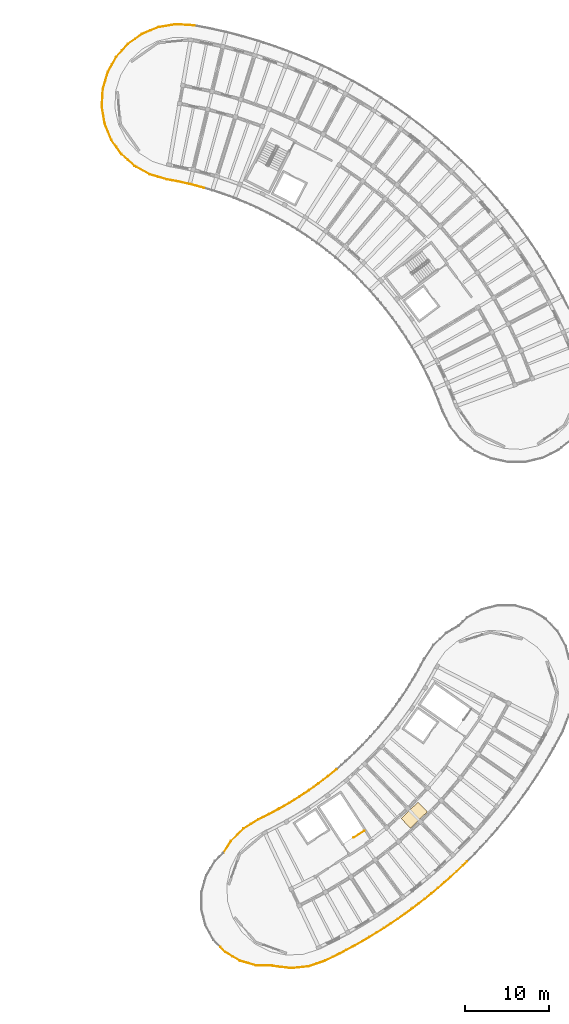
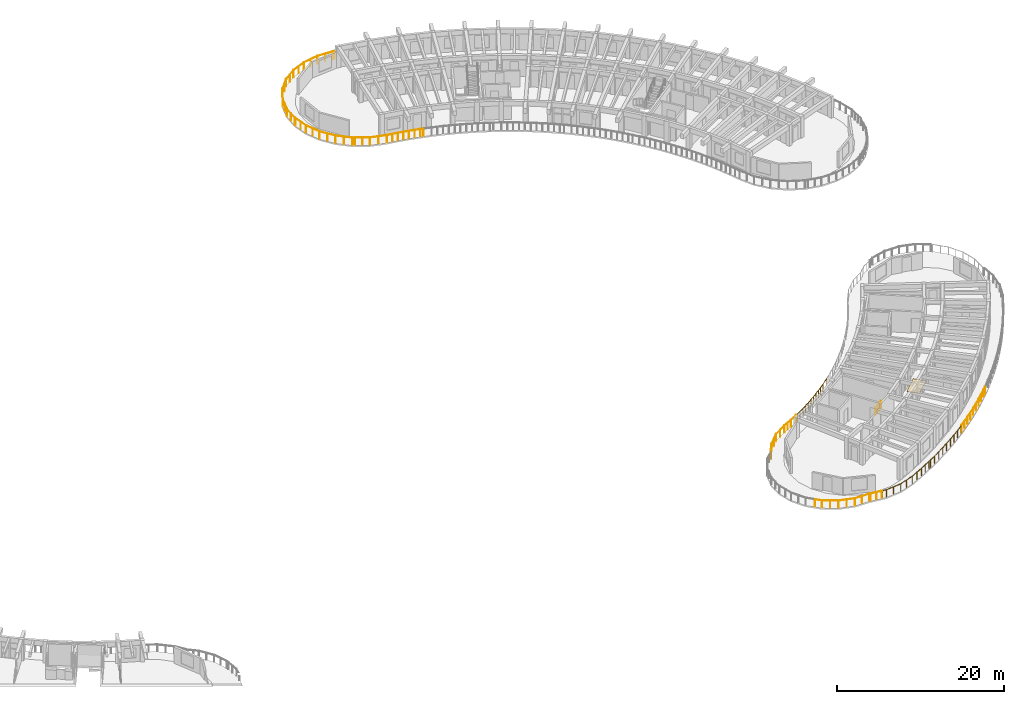
# One storey, part 50 of 56: 11 railings, 1 covering.
"""IFC4 building model written with IfcOpenShell, lengths in metres."""

from ifc_helpers import new_model, si_unit, direction, frame, origin, origin_2d, place, context, subcontext, project, spatial, rectangle, circle, extrude, material, layer, layer_set, type_object, element, save


model = new_model("IFC4")

# Units and contexts
model_context = context("Model", 3, precision=1e-05, world=origin(), true_north=direction((0.0, 1.0)))
body_context = subcontext(model_context, "Body", "Model", "MODEL_VIEW")
ifc_project = project(units=[si_unit("LENGTHUNIT", "METRE"), si_unit("AREAUNIT", "SQUARE_METRE"), si_unit("VOLUMEUNIT", "CUBIC_METRE"), si_unit("PLANEANGLEUNIT", "RADIAN"), si_unit("MASSUNIT", "GRAM", prefix="KILO")], contexts=[model_context])

# Site, building, storey
site_placement = place(None, origin())
site = spatial("IfcSite", under=ifc_project, at=site_placement, CompositionType="ELEMENT")
building_placement = place(site_placement, origin())
building = spatial("IfcBuilding", under=site, at=building_placement, Name="Tanwirah Colonnade Gardens", CompositionType="ELEMENT")
storey_placement = place(building_placement, frame((0.0, 0.0, 29.0)))
storey = spatial("IfcBuildingStorey", under=building, at=storey_placement, Name="L08", CompositionType="ELEMENT", Elevation=29.0)

# Railings
ifc_material_1 = material(Name="Precast concrete C40/50", Category="concrete")
railing_type_1 = type_object("IfcRailingType", Name="BAL-EXT110", PredefinedType="BALUSTRADE", material=ifc_material_1)
railing_1_placement = place(storey_placement, frame((135.019775390625, 21.895263671875, 0.0)))
element("IfcRailing", 1, at=railing_1_placement, inside=storey, type_object=railing_type_1, Name="Block D L08 Balcony Ribbon Balustrade 1", PredefinedType="BALUSTRADE", context=body_context, shape_type="SweptSolid", body=[
    extrude(circle(Radius=0.02392578125, at=origin_2d()), frame((0.016845703125, 0.0263671875, 1.076171875), z_axis=(0.538875687024, 0.842385300165, 0.0), x_axis=(-0.842385300165, 0.538875687024, 0.0)), (0.0, 0.0, 1.0), 1.650146484375),
    extrude(circle(Radius=0.02392578125, at=origin_2d()), frame((0.945068359375, 1.464599609375, 1.076171875), z_axis=(0.712816021803, 0.701351066914, 0.0), x_axis=(-0.701351066914, 0.712816021803, 0.0)), (0.0, 0.0, 1.0), 2.0244140625),
    extrude(circle(Radius=0.02392578125, at=origin_2d()), frame((2.43701171875, 2.922607421875, 1.076171875), z_axis=(0.851032684199, 0.525112721637, 0.0), x_axis=(-0.525112721637, 0.851032684199, 0.0)), (0.0, 0.0, 1.0), 2.029541015625),
    extrude(circle(Radius=0.02392578125, at=origin_2d()), frame((4.218994140625, 4.018798828125, 1.076171875), z_axis=(0.897323738879, 0.441372980192, 0.0), x_axis=(-0.441372980192, 0.897323738879, 0.0)), (0.0, 0.0, 1.0), 1.327392578125),
    extrude(circle(Radius=0.02392578125, at=origin_2d()), frame((5.46826171875, 4.63427734375, 1.076171875), z_axis=(0.882475220058, 0.470358890618, 0.0), x_axis=(-0.470358890618, 0.882475220058, 0.0)), (0.0, 0.0, 1.0), 1.153076171875),
    extrude(circle(Radius=0.02099609375, at=origin_2d()), origin(), (0.0, 0.0, 1.0), 1.049072265625),
    extrude(circle(Radius=0.02099609375, at=origin_2d()), frame((0.46142578125, 0.72119140625, 0.0)), (0.0, 0.0, 1.0), 1.049072265625),
    extrude(circle(Radius=0.02099609375, at=origin_2d()), frame((0.9228515625, 1.442626953125, 0.0)), (0.0, 0.0, 1.0), 1.049072265625),
    extrude(circle(Radius=0.02099609375, at=origin_2d()), frame((1.66650390625, 2.17431640625, 0.0)), (0.0, 0.0, 1.0), 1.049072265625),
    extrude(circle(Radius=0.02099609375, at=origin_2d()), frame((2.410400390625, 2.90625, 0.0)), (0.0, 0.0, 1.0), 1.049072265625),
    extrude(circle(Radius=0.02099609375, at=origin_2d()), frame((3.30078125, 3.45556640625, 0.0)), (0.0, 0.0, 1.0), 1.049072265625),
    extrude(circle(Radius=0.02099609375, at=origin_2d()), frame((4.19091796875, 4.0048828125, 0.0)), (0.0, 0.0, 1.0), 1.049072265625),
    extrude(circle(Radius=0.02099609375, at=origin_2d()), frame((4.814453125, 4.3115234375, 0.0)), (0.0, 0.0, 1.0), 1.049072265625),
    extrude(circle(Radius=0.02099609375, at=origin_2d()), frame((5.438232421875, 4.618408203125, 0.0)), (0.0, 0.0, 1.0), 1.049072265625),
    extrude(circle(Radius=0.02099609375, at=origin_2d()), frame((6.513427734375, 5.19140625, 0.0)), (0.0, 0.0, 1.0), 1.049072265625),
])
railing_2_placement = place(storey_placement, frame((141.533203125, 27.086669921875, 0.0)))
element("IfcRailing", 2, at=railing_2_placement, inside=storey, type_object=railing_type_1, Name="Block D L08 Balcony Ribbon Balustrade 2", PredefinedType="BALUSTRADE", context=body_context, shape_type="SweptSolid", body=[
    extrude(circle(Radius=0.02392578125, at=origin_2d()), frame((0.027587890625, 0.0146484375, 1.076171875), z_axis=(0.882049446177, 0.471156847026, 0.0), x_axis=(-0.471156847026, 0.882049446177, 0.0)), (0.0, 0.0, 1.0), 0.11572265625),
    extrude(circle(Radius=0.02392578125, at=origin_2d()), frame((0.186767578125, 0.100830078125, 1.076171875), z_axis=(0.866535241782, 0.499115893104, 0.0), x_axis=(-0.499115893104, 0.866535241782, 0.0)), (0.0, 0.0, 1.0), 1.33154296875),
    extrude(circle(Radius=0.02392578125, at=origin_2d()), frame((1.396484375, 0.798828125, 1.076171875), z_axis=(0.849764617567, 0.527162303973, 0.0), x_axis=(-0.527162303973, 0.849764617567, 0.0)), (0.0, 0.0, 1.0), 1.33154296875),
    extrude(circle(Radius=0.02392578125, at=origin_2d()), frame((2.582763671875, 1.535888671875, 1.076171875), z_axis=(0.832077237554, 0.554659779274, 0.0), x_axis=(-0.554659779274, 0.832077237554, 0.0)), (0.0, 0.0, 1.0), 1.33154296875),
    extrude(circle(Radius=0.02392578125, at=origin_2d()), frame((3.744140625, 2.311279296875, 1.076171875), z_axis=(0.813473063063, 0.581602592558, 0.0), x_axis=(-0.581602592558, 0.813473063063, 0.0)), (0.0, 0.0, 1.0), 1.33154296875),
    extrude(circle(Radius=0.02392578125, at=origin_2d()), frame((4.8798828125, 3.12451171875, 1.076171875), z_axis=(0.793969886309, 0.607957087001, 0.0), x_axis=(-0.607957087001, 0.793969886309, 0.0)), (0.0, 0.0, 1.0), 1.331298828125),
    extrude(circle(Radius=0.02392578125, at=origin_2d()), frame((5.988037109375, 3.974365234375, 1.076171875), z_axis=(0.773631482392, 0.633635801902, 0.0), x_axis=(-0.633635801902, 0.773631482392, 0.0)), (0.0, 0.0, 1.0), 1.273193359375),
    extrude(circle(Radius=0.02099609375, at=origin_2d()), origin(), (0.0, 0.0, 1.0), 1.049072265625),
    extrude(circle(Radius=0.02099609375, at=origin_2d()), frame((0.1572265625, 0.083984375, 0.0)), (0.0, 0.0, 1.0), 1.049072265625),
    extrude(circle(Radius=0.02099609375, at=origin_2d()), frame((0.763671875, 0.43310546875, 0.0)), (0.0, 0.0, 1.0), 1.049072265625),
    extrude(circle(Radius=0.02099609375, at=origin_2d()), frame((1.36767578125, 0.781005859375, 0.0)), (0.0, 0.0, 1.0), 1.049072265625),
    extrude(circle(Radius=0.02099609375, at=origin_2d()), frame((1.962158203125, 1.149658203125, 0.0)), (0.0, 0.0, 1.0), 1.049072265625),
    extrude(circle(Radius=0.02099609375, at=origin_2d()), frame((2.554443359375, 1.51708984375, 0.0)), (0.0, 0.0, 1.0), 1.049072265625),
    extrude(circle(Radius=0.02099609375, at=origin_2d()), frame((3.13671875, 1.9052734375, 0.0)), (0.0, 0.0, 1.0), 1.049072265625),
    extrude(circle(Radius=0.02099609375, at=origin_2d()), frame((3.716552734375, 2.291748046875, 0.0)), (0.0, 0.0, 1.0), 1.049072265625),
    extrude(circle(Radius=0.02099609375, at=origin_2d()), frame((4.28564453125, 2.69873046875, 0.0)), (0.0, 0.0, 1.0), 1.049072265625),
    extrude(circle(Radius=0.02099609375, at=origin_2d()), frame((4.852783203125, 3.10400390625, 0.0)), (0.0, 0.0, 1.0), 1.049072265625),
    extrude(circle(Radius=0.02099609375, at=origin_2d()), frame((5.408203125, 3.529296875, 0.0)), (0.0, 0.0, 1.0), 1.049072265625),
    extrude(circle(Radius=0.02099609375, at=origin_2d()), frame((5.961669921875, 3.952880859375, 0.0)), (0.0, 0.0, 1.0), 1.049072265625),
    extrude(circle(Radius=0.02099609375, at=origin_2d()), frame((6.997314453125, 4.801025390625, 0.0)), (0.0, 0.0, 1.0), 1.049072265625),
])
railing_3_placement = place(storey_placement, frame((164.07470703125, 20.867431640625, 0.0)))
element("IfcRailing", 3, at=railing_3_placement, inside=storey, type_object=railing_type_1, Name="Block D L08 Balcony Ribbon Balustrade 11", PredefinedType="BALUSTRADE", context=body_context, shape_type="SweptSolid", body=[
    extrude(circle(Radius=0.02392578125, at=origin_2d()), frame((-0.022216796875, -0.02197265625, 1.076171875), z_axis=(-0.707829055168, -0.706383768684, 0.0), x_axis=(0.706383768684, -0.707829055168, 0.0)), (0.0, 0.0, 1.0), 0.61328125),
    extrude(circle(Radius=0.02392578125, at=origin_2d()), frame((-0.501220703125, -0.49853515625, 1.076171875), z_axis=(-0.730610060212, -0.682794947196, 0.0), x_axis=(0.682794947196, -0.730610060212, 0.0)), (0.0, 0.0, 1.0), 1.944091796875),
    extrude(circle(Radius=0.02392578125, at=origin_2d()), frame((-1.9677734375, -1.867919921875, 1.076171875), z_axis=(-0.752508858808, -0.658582126553, 0.0), x_axis=(0.658582126553, -0.752508858808, 0.0)), (0.0, 0.0, 1.0), 1.944091796875),
    extrude(circle(Radius=0.02392578125, at=origin_2d()), frame((-3.478515625, -3.188720703125, 1.076171875), z_axis=(-0.773707873236, -0.633542521771, 0.0), x_axis=(0.633542521771, -0.773707873236, 0.0)), (0.0, 0.0, 1.0), 1.944091796875),
    extrude(circle(Radius=0.02392578125, at=origin_2d()), frame((-5.03173828125, -4.459228515625, 1.076171875), z_axis=(-0.794035144437, -0.607871852778, 0.0), x_axis=(0.607871852778, -0.794035144437, 0.0)), (0.0, 0.0, 1.0), 1.741943359375),
    extrude(circle(Radius=0.02099609375, at=origin_2d()), origin(), (0.0, 0.0, 1.0), 1.049072265625),
    extrude(circle(Radius=0.02099609375, at=origin_2d()), frame((-0.478271484375, -0.477294921875, 0.0)), (0.0, 0.0, 1.0), 1.049072265625),
    extrude(circle(Radius=0.02099609375, at=origin_2d()), frame((-1.21142578125, -1.162353515625, 0.0)), (0.0, 0.0, 1.0), 1.049072265625),
    extrude(circle(Radius=0.02099609375, at=origin_2d()), frame((-1.9443359375, -1.847412109375, 0.0)), (0.0, 0.0, 1.0), 1.049072265625),
    extrude(circle(Radius=0.02099609375, at=origin_2d()), frame((-2.69921875, -2.50830078125, 0.0)), (0.0, 0.0, 1.0), 1.049072265625),
    extrude(circle(Radius=0.02099609375, at=origin_2d()), frame((-3.454345703125, -3.1689453125, 0.0)), (0.0, 0.0, 1.0), 1.049072265625),
    extrude(circle(Radius=0.02099609375, at=origin_2d()), frame((-4.23046875, -3.8046875, 0.0)), (0.0, 0.0, 1.0), 1.049072265625),
    extrude(circle(Radius=0.02099609375, at=origin_2d()), frame((-5.0068359375, -4.440185546875, 0.0)), (0.0, 0.0, 1.0), 1.049072265625),
    extrude(circle(Radius=0.02099609375, at=origin_2d()), frame((-5.72314453125, -4.98876953125, 0.0)), (0.0, 0.0, 1.0), 1.049072265625),
    extrude(circle(Radius=0.02099609375, at=origin_2d()), frame((-6.439697265625, -5.537109375, 0.0)), (0.0, 0.0, 1.0), 1.049072265625),
])
railing_4_placement = place(storey_placement, frame((157.635009765625, 15.330322265625, 0.0)))
element("IfcRailing", 4, at=railing_4_placement, inside=storey, type_object=railing_type_1, Name="Block D L08 Balcony Ribbon Balustrade 12", PredefinedType="BALUSTRADE", context=body_context, shape_type="SweptSolid", body=[
    extrude(circle(Radius=0.02392578125, at=origin_2d()), frame((-0.02490234375, -0.01904296875, 1.076171875), z_axis=(-0.794014669264, -0.607898597625, 0.0), x_axis=(0.607898597625, -0.794014669264, 0.0)), (0.0, 0.0, 1.0), 0.139404296875),
    extrude(circle(Radius=0.02392578125, at=origin_2d()), frame((-0.185791015625, -0.140869140625, 1.076171875), z_axis=(-0.813486769226, -0.581583421612, 0.0), x_axis=(0.581583421612, -0.813486769226, 0.0)), (0.0, 0.0, 1.0), 1.944091796875),
    extrude(circle(Radius=0.02392578125, at=origin_2d()), frame((-1.81884765625, -1.30712890625, 1.076171875), z_axis=(-0.832069011603, -0.554672119301, 0.0), x_axis=(0.554672119301, -0.832069011603, 0.0)), (0.0, 0.0, 1.0), 1.944091796875),
    extrude(circle(Radius=0.02392578125, at=origin_2d()), frame((-3.489013671875, -2.41943359375, 1.076171875), z_axis=(-0.84977735452, -0.527141771959, 0.0), x_axis=(0.527141771959, -0.84977735452, 0.0)), (0.0, 0.0, 1.0), 1.9443359375),
    extrude(circle(Radius=0.02392578125, at=origin_2d()), frame((-5.19482421875, -3.476318359375, 1.076171875), z_axis=(-0.866598539642, -0.499005983021, 0.0), x_axis=(0.499005983021, -0.866598539642, 0.0)), (0.0, 0.0, 1.0), 1.94384765625),
    extrude(circle(Radius=0.02392578125, at=origin_2d()), frame((-6.93408203125, -4.4765625, 1.076171875), z_axis=(-0.882054087959, -0.471148157075, 0.0), x_axis=(0.471148157075, -0.882054087959, 0.0)), (0.0, 0.0, 1.0), 0.208984375),
    extrude(circle(Radius=0.02099609375, at=origin_2d()), origin(), (0.0, 0.0, 1.0), 1.049072265625),
    extrude(circle(Radius=0.02099609375, at=origin_2d()), frame((-0.160400390625, -0.122802734375, 0.0)), (0.0, 0.0, 1.0), 1.049072265625),
    extrude(circle(Radius=0.02099609375, at=origin_2d()), frame((-0.9765625, -0.706298828125, 0.0)), (0.0, 0.0, 1.0), 1.049072265625),
    extrude(circle(Radius=0.02099609375, at=origin_2d()), frame((-1.792724609375, -1.289794921875, 0.0)), (0.0, 0.0, 1.0), 1.049072265625),
    extrude(circle(Radius=0.02099609375, at=origin_2d()), frame((-2.62744140625, -1.84619140625, 0.0)), (0.0, 0.0, 1.0), 1.049072265625),
    extrude(circle(Radius=0.02099609375, at=origin_2d()), frame((-3.46240234375, -2.40283203125, 0.0)), (0.0, 0.0, 1.0), 1.049072265625),
    extrude(circle(Radius=0.02099609375, at=origin_2d()), frame((-4.31494140625, -2.931640625, 0.0)), (0.0, 0.0, 1.0), 1.049072265625),
    extrude(circle(Radius=0.02099609375, at=origin_2d()), frame((-5.167724609375, -3.460693359375, 0.0)), (0.0, 0.0, 1.0), 1.049072265625),
    extrude(circle(Radius=0.02099609375, at=origin_2d()), frame((-6.037109375, -3.96142578125, 0.0)), (0.0, 0.0, 1.0), 1.049072265625),
    extrude(circle(Radius=0.02099609375, at=origin_2d()), frame((-6.906494140625, -4.4619140625, 0.0)), (0.0, 0.0, 1.0), 1.049072265625),
    extrude(circle(Radius=0.02099609375, at=origin_2d()), frame((-7.14599609375, -4.58984375, 0.0)), (0.0, 0.0, 1.0), 1.049072265625),
])
railing_5_placement = place(storey_placement, frame((150.489013671875, 10.740478515625, 0.0)))
element("IfcRailing", 5, at=railing_5_placement, inside=storey, type_object=railing_type_1, Name="Block D L08 Balcony Ribbon Balustrade 13", PredefinedType="BALUSTRADE", context=body_context, shape_type="SweptSolid", body=[
    extrude(circle(Radius=0.02392578125, at=origin_2d()), frame((-0.027587890625, -0.0146484375, 1.076171875), z_axis=(-0.88247365168, -0.470361833158, 0.0), x_axis=(0.470361833158, -0.88247365168, 0.0)), (0.0, 0.0, 1.0), 1.672607421875),
    extrude(circle(Radius=0.02392578125, at=origin_2d()), frame((-1.559326171875, -0.830078125, 1.076171875), z_axis=(-0.897357880306, -0.441303562927, 0.0), x_axis=(0.441303562927, -0.897357880306, 0.0)), (0.0, 0.0, 1.0), 1.940185546875),
    extrude(circle(Radius=0.02392578125, at=origin_2d()), frame((-3.35791015625, -1.7099609375, 1.076171875), z_axis=(-0.946524776509, -0.322631132185, 0.0), x_axis=(0.322631132185, -0.946524776509, 0.0)), (0.0, 0.0, 1.0), 2.0283203125),
    extrude(circle(Radius=0.02392578125, at=origin_2d()), frame((-5.33837890625, -2.377685546875, 1.076171875), z_axis=(-0.99458974046, -0.103880932666, 0.0), x_axis=(0.103880932666, -0.99458974046, 0.0)), (0.0, 0.0, 1.0), 2.0244140625),
    extrude(circle(Radius=0.02392578125, at=origin_2d()), frame((-7.4140625, -2.587646484375, 1.076171875), z_axis=(-0.992783610334, 0.119919569093, 0.0), x_axis=(-0.119919569093, -0.992783610334, 0.0)), (0.0, 0.0, 1.0), 0.521728515625),
    extrude(circle(Radius=0.02099609375, at=origin_2d()), origin(), (0.0, 0.0, 1.0), 1.049072265625),
    extrude(circle(Radius=0.02099609375, at=origin_2d()), frame((-0.765625, -0.408203125, 0.0)), (0.0, 0.0, 1.0), 1.049072265625),
    extrude(circle(Radius=0.02099609375, at=origin_2d()), frame((-1.53125, -0.816162109375, 0.0)), (0.0, 0.0, 1.0), 1.049072265625),
    extrude(circle(Radius=0.02099609375, at=origin_2d()), frame((-2.4296875, -1.258056640625, 0.0)), (0.0, 0.0, 1.0), 1.049072265625),
    extrude(circle(Radius=0.02099609375, at=origin_2d()), frame((-3.328369140625, -1.699951171875, 0.0)), (0.0, 0.0, 1.0), 1.049072265625),
    extrude(circle(Radius=0.02099609375, at=origin_2d()), frame((-4.31787109375, -2.037109375, 0.0)), (0.0, 0.0, 1.0), 1.049072265625),
    extrude(circle(Radius=0.02099609375, at=origin_2d()), frame((-5.307373046875, -2.37451171875, 0.0)), (0.0, 0.0, 1.0), 1.049072265625),
    extrude(circle(Radius=0.02099609375, at=origin_2d()), frame((-6.34521484375, -2.48291015625, 0.0)), (0.0, 0.0, 1.0), 1.049072265625),
    extrude(circle(Radius=0.02099609375, at=origin_2d()), frame((-7.383056640625, -2.59130859375, 0.0)), (0.0, 0.0, 1.0), 1.049072265625),
    extrude(circle(Radius=0.02099609375, at=origin_2d()), frame((-7.963134765625, -2.521240234375, 0.0)), (0.0, 0.0, 1.0), 1.049072265625),
])
railing_6_placement = place(storey_placement, frame((142.52587890625, 8.21923828125, 0.0)))
element("IfcRailing", 6, at=railing_6_placement, inside=storey, type_object=railing_type_1, Name="Block D L08 Balcony Ribbon Balustrade 14", PredefinedType="BALUSTRADE", context=body_context, shape_type="SweptSolid", body=[
    extrude(circle(Radius=0.02392578125, at=origin_2d()), frame((-0.031005859375, 0.003662109375, 1.076171875), z_axis=(-0.992764921736, 0.120074186115, 0.0), x_axis=(-0.120074186115, -0.992764921736, 0.0)), (0.0, 0.0, 1.0), 1.43994140625),
    extrude(circle(Radius=0.02392578125, at=origin_2d()), frame((-1.521240234375, 0.19091796875, 1.076171875), z_axis=(-0.941120146282, 0.338072285558, 0.0), x_axis=(-0.338072285558, -0.941120146282, 0.0)), (0.0, 0.0, 1.0), 0.071044921875),
    extrude(circle(Radius=0.02392578125, at=origin_2d()), frame((-1.67431640625, 0.230712890625, 1.076171875), z_axis=(-0.999846714586, 0.017508493139, 0.0), x_axis=(-0.017508493139, -0.999846714586, 0.0)), (0.0, 0.0, 1.0), 1.903564453125),
    extrude(circle(Radius=0.02392578125, at=origin_2d()), frame((-3.638916015625, 0.273193359375, 1.076171875), z_axis=(-0.961262912287, 0.275633113871, 0.0), x_axis=(-0.275633113871, -0.961262912287, 0.0)), (0.0, 0.0, 1.0), 1.95263671875),
    extrude(circle(Radius=0.02392578125, at=origin_2d()), frame((-5.57275390625, 0.836181640625, 1.076171875), z_axis=(-0.857172054551, 0.515030163095, 0.0), x_axis=(-0.515030163095, -0.857172054551, 0.0)), (0.0, 0.0, 1.0), 1.95263671875),
    extrude(circle(Radius=0.02392578125, at=origin_2d()), frame((-7.294921875, 1.88037109375, 1.076171875), z_axis=(-0.694667008034, 0.719331459029, 0.0), x_axis=(-0.719331459029, -0.694667008034, 0.0)), (0.0, 0.0, 1.0), 0.77880859375),
    extrude(circle(Radius=0.02099609375, at=origin_2d()), origin(), (0.0, 0.0, 1.0), 1.049072265625),
    extrude(circle(Radius=0.02099609375, at=origin_2d()), frame((-0.745849609375, 0.09033203125, 0.0)), (0.0, 0.0, 1.0), 1.049072265625),
    extrude(circle(Radius=0.02099609375, at=origin_2d()), frame((-1.49169921875, 0.180419921875, 0.0)), (0.0, 0.0, 1.0), 1.049072265625),
    extrude(circle(Radius=0.02099609375, at=origin_2d()), frame((-1.617431640625, 0.2255859375, 0.0)), (0.0, 0.0, 1.0), 1.049072265625),
    extrude(circle(Radius=0.02099609375, at=origin_2d()), frame((-2.6259765625, 0.24755859375, 0.0)), (0.0, 0.0, 1.0), 1.049072265625),
    extrude(circle(Radius=0.02099609375, at=origin_2d()), frame((-3.60888671875, 0.2646484375, 0.0)), (0.0, 0.0, 1.0), 1.049072265625),
    extrude(circle(Radius=0.02099609375, at=origin_2d()), frame((-4.577392578125, 0.54248046875, 0.0)), (0.0, 0.0, 1.0), 1.049072265625),
    extrude(circle(Radius=0.02099609375, at=origin_2d()), frame((-5.5458984375, 0.820068359375, 0.0)), (0.0, 0.0, 1.0), 1.049072265625),
    extrude(circle(Radius=0.02099609375, at=origin_2d()), frame((-6.40966796875, 1.3388671875, 0.0)), (0.0, 0.0, 1.0), 1.049072265625),
    extrude(circle(Radius=0.02099609375, at=origin_2d()), frame((-7.273193359375, 1.85791015625, 0.0)), (0.0, 0.0, 1.0), 1.049072265625),
    extrude(circle(Radius=0.02099609375, at=origin_2d()), frame((-7.857666015625, 2.463134765625, 0.0)), (0.0, 0.0, 1.0), 1.049072265625),
])
railing_type_2 = type_object("IfcRailingType", Name="BAL-EXT112", PredefinedType="BALUSTRADE", material=ifc_material_1)
railing_7_placement = place(storey_placement, frame((132.739501953125, 101.22900390625, 0.0)))
element("IfcRailing", 7, at=railing_7_placement, inside=storey, type_object=railing_type_2, Name="Block B L08 Balcony Ribbon Balustrade 6", PredefinedType="BALUSTRADE", context=body_context, shape_type="SweptSolid", body=[
    extrude(circle(Radius=0.02392578125, at=origin_2d()), frame((-0.030029296875, 0.0087890625, 1.09619140625), z_axis=(-0.959455617576, 0.281859748639, 0.0), x_axis=(-0.281859748639, -0.959455617576, 0.0)), (0.0, 0.0, 1.0), 0.325439453125),
    extrude(circle(Radius=0.02392578125, at=origin_2d()), frame((-0.4052734375, 0.117919921875, 1.09619140625), z_axis=(-0.968157809477, 0.250340679771, 0.0), x_axis=(-0.250340679771, -0.968157809477, 0.0)), (0.0, 0.0, 1.0), 1.341796875),
    extrude(circle(Radius=0.02392578125, at=origin_2d()), frame((-1.767578125, 0.46923828125, 1.09619140625), z_axis=(-0.975875211082, 0.218329046156, 0.0), x_axis=(-0.218329046156, -0.975875211082, 0.0)), (0.0, 0.0, 1.0), 1.342041015625),
    extrude(circle(Radius=0.02392578125, at=origin_2d()), frame((-3.140869140625, 0.775390625, 1.09619140625), z_axis=(-0.982553032323, 0.185982630032, 0.0), x_axis=(-0.185982630032, -0.982553032323, 0.0)), (0.0, 0.0, 1.0), 1.338134765625),
    extrude(circle(Radius=0.02392578125, at=origin_2d()), frame((-4.516357421875, 1.038818359375, 1.09619140625), z_axis=(-0.960245363481, 0.279157378397, 0.0), x_axis=(-0.279157378397, -0.960245363481, 0.0)), (0.0, 0.0, 1.0), 2.029541015625),
    extrude(circle(Radius=0.02392578125, at=origin_2d()), frame((-6.5224609375, 1.629150390625, 1.09619140625), z_axis=(-0.874074215787, 0.485792409673, 0.0), x_axis=(-0.485792409673, -0.874074215787, 0.0)), (0.0, 0.0, 1.0), 1.740234375),
    extrude(circle(Radius=0.02099609375, at=origin_2d()), origin(), (0.0, 0.0, 1.0), 1.069091796875),
    extrude(circle(Radius=0.02099609375, at=origin_2d()), frame((-0.372314453125, 0.109375, 0.0)), (0.0, 0.0, 1.0), 1.069091796875),
    extrude(circle(Radius=0.02099609375, at=origin_2d()), frame((-1.0546875, 0.285888671875, 0.0)), (0.0, 0.0, 1.0), 1.069091796875),
    extrude(circle(Radius=0.02099609375, at=origin_2d()), frame((-1.734619140625, 0.461669921875, 0.0)), (0.0, 0.0, 1.0), 1.069091796875),
    extrude(circle(Radius=0.02099609375, at=origin_2d()), frame((-2.42236328125, 0.61572265625, 0.0)), (0.0, 0.0, 1.0), 1.069091796875),
    extrude(circle(Radius=0.02099609375, at=origin_2d()), frame((-3.107666015625, 0.76904296875, 0.0)), (0.0, 0.0, 1.0), 1.069091796875),
    extrude(circle(Radius=0.02099609375, at=origin_2d()), frame((-3.79833984375, 0.89990234375, 0.0)), (0.0, 0.0, 1.0), 1.069091796875),
    extrude(circle(Radius=0.02099609375, at=origin_2d()), frame((-4.486328125, 1.030029296875, 0.0)), (0.0, 0.0, 1.0), 1.069091796875),
    extrude(circle(Radius=0.02099609375, at=origin_2d()), frame((-5.49072265625, 1.322021484375, 0.0)), (0.0, 0.0, 1.0), 1.069091796875),
    extrude(circle(Radius=0.02099609375, at=origin_2d()), frame((-6.4951171875, 1.614013671875, 0.0)), (0.0, 0.0, 1.0), 1.069091796875),
    extrude(circle(Radius=0.02099609375, at=origin_2d()), frame((-7.282958984375, 2.0517578125, 0.0)), (0.0, 0.0, 1.0), 1.069091796875),
    extrude(circle(Radius=0.02099609375, at=origin_2d()), frame((-8.07080078125, 2.48974609375, 0.0)), (0.0, 0.0, 1.0), 1.069091796875),
])
railing_8_placement = place(storey_placement, frame((124.668701171875, 103.71875, 0.0)))
element("IfcRailing", 8, at=railing_8_placement, inside=storey, type_object=railing_type_2, Name="Block B L08 Balcony Ribbon Balustrade 7", PredefinedType="BALUSTRADE", context=body_context, shape_type="SweptSolid", body=[
    extrude(circle(Radius=0.02392578125, at=origin_2d()), frame((-0.02734375, 0.01513671875, 1.09619140625), z_axis=(-0.87435977073, 0.485278261751, 0.0), x_axis=(-0.485278261751, -0.87435977073, 0.0)), (0.0, 0.0, 1.0), 0.2216796875),
    extrude(circle(Radius=0.02392578125, at=origin_2d()), frame((-0.271728515625, 0.158935546875, 1.09619140625), z_axis=(-0.744049898412, 0.66812405186, 0.0), x_axis=(-0.66812405186, -0.744049898412, 0.0)), (0.0, 0.0, 1.0), 2.0244140625),
    extrude(circle(Radius=0.02392578125, at=origin_2d()), frame((-1.8193359375, 1.557861328125, 1.09619140625), z_axis=(-0.576747498313, 0.816922470734, 0.0), x_axis=(-0.816922470734, -0.576747498313, 0.0)), (0.0, 0.0, 1.0), 2.0244140625),
    extrude(circle(Radius=0.02392578125, at=origin_2d()), frame((-3.016845703125, 3.265869140625, 1.09619140625), z_axis=(-0.380549746364, 0.924760450356, 0.0), x_axis=(-0.924760450356, -0.380549746364, 0.0)), (0.0, 0.0, 1.0), 2.0244140625),
    extrude(circle(Radius=0.02392578125, at=origin_2d()), frame((-3.80419921875, 5.19775390625, 1.09619140625), z_axis=(-0.165208928462, 0.986258591829, 0.0), x_axis=(-0.986258591829, -0.165208928462, 0.0)), (0.0, 0.0, 1.0), 1.892578125),
    extrude(circle(Radius=0.02099609375, at=origin_2d()), origin(), (0.0, 0.0, 1.0), 1.069091796875),
    extrude(circle(Radius=0.02099609375, at=origin_2d()), frame((-0.24853515625, 0.137939453125, 0.0)), (0.0, 0.0, 1.0), 1.069091796875),
    extrude(circle(Radius=0.02099609375, at=origin_2d()), frame((-1.02490234375, 0.8349609375, 0.0)), (0.0, 0.0, 1.0), 1.069091796875),
    extrude(circle(Radius=0.02099609375, at=origin_2d()), frame((-1.80126953125, 1.5322265625, 0.0)), (0.0, 0.0, 1.0), 1.069091796875),
    extrude(circle(Radius=0.02099609375, at=origin_2d()), frame((-2.403076171875, 2.384765625, 0.0)), (0.0, 0.0, 1.0), 1.069091796875),
    extrude(circle(Radius=0.02099609375, at=origin_2d()), frame((-3.0048828125, 3.237060546875, 0.0)), (0.0, 0.0, 1.0), 1.069091796875),
    extrude(circle(Radius=0.02099609375, at=origin_2d()), frame((-3.40185546875, 4.2021484375, 0.0)), (0.0, 0.0, 1.0), 1.069091796875),
    extrude(circle(Radius=0.02099609375, at=origin_2d()), frame((-3.799072265625, 5.1669921875, 0.0)), (0.0, 0.0, 1.0), 1.069091796875),
    extrude(circle(Radius=0.02099609375, at=origin_2d()), frame((-3.96044921875, 6.131103515625, 0.0)), (0.0, 0.0, 1.0), 1.069091796875),
    extrude(circle(Radius=0.02099609375, at=origin_2d()), frame((-4.1220703125, 7.09521484375, 0.0)), (0.0, 0.0, 1.0), 1.069091796875),
])
railing_9_placement = place(storey_placement, frame((120.546630859375, 110.81396484375, 0.0)))
element("IfcRailing", 9, at=railing_9_placement, inside=storey, type_object=railing_type_2, Name="Block B L08 Balcony Ribbon Balustrade 8", PredefinedType="BALUSTRADE", context=body_context, shape_type="SweptSolid", body=[
    extrude(circle(Radius=0.02392578125, at=origin_2d()), frame((-0.005126953125, 0.03076171875, 1.09619140625), z_axis=(-0.164699069104, 0.986343863283, 0.0), x_axis=(-0.986343863283, -0.164699069104, 0.0)), (0.0, 0.0, 1.0), 0.0693359375),
    extrude(circle(Radius=0.02392578125, at=origin_2d()), frame((-0.02001953125, 0.161376953125, 1.09619140625), z_axis=(0.058495702586, 0.998287660336, 0.0), x_axis=(-0.998287660336, 0.058495702586, 0.0)), (0.0, 0.0, 1.0), 2.0244140625),
    extrude(circle(Radius=0.02392578125, at=origin_2d()), frame((0.109130859375, 2.243408203125, 1.09619140625), z_axis=(0.279029466175, 0.960282540196, 0.0), x_axis=(-0.960282540196, 0.279029466175, 0.0)), (0.0, 0.0, 1.0), 2.024169921875),
    extrude(circle(Radius=0.02392578125, at=origin_2d()), frame((0.69775390625, 4.24462890625, 1.09619140625), z_axis=(0.485811768465, 0.87406345629, 0.0), x_axis=(-0.87406345629, 0.485811768465, 0.0)), (0.0, 0.0, 1.0), 2.0244140625),
    extrude(circle(Radius=0.02392578125, at=origin_2d()), frame((1.717529296875, 6.064697265625, 1.09619140625), z_axis=(0.66812405186, 0.744049898412, 0.0), x_axis=(-0.744049898412, 0.66812405186, 0.0)), (0.0, 0.0, 1.0), 2.0244140625),
    extrude(circle(Radius=0.02099609375, at=origin_2d()), origin(), (0.0, 0.0, 1.0), 1.069091796875),
    extrude(circle(Radius=0.02099609375, at=origin_2d()), frame((-0.021728515625, 0.130126953125, 0.0)), (0.0, 0.0, 1.0), 1.069091796875),
    extrude(circle(Radius=0.02099609375, at=origin_2d()), frame((0.039306640625, 1.171875, 0.0)), (0.0, 0.0, 1.0), 1.069091796875),
    extrude(circle(Radius=0.02099609375, at=origin_2d()), frame((0.100341796875, 2.21337890625, 0.0)), (0.0, 0.0, 1.0), 1.069091796875),
    extrude(circle(Radius=0.02099609375, at=origin_2d()), frame((0.3916015625, 3.21533203125, 0.0)), (0.0, 0.0, 1.0), 1.069091796875),
    extrude(circle(Radius=0.02099609375, at=origin_2d()), frame((0.6826171875, 4.21728515625, 0.0)), (0.0, 0.0, 1.0), 1.069091796875),
    extrude(circle(Radius=0.02099609375, at=origin_2d()), frame((1.189453125, 5.12939453125, 0.0)), (0.0, 0.0, 1.0), 1.069091796875),
    extrude(circle(Radius=0.02099609375, at=origin_2d()), frame((1.696533203125, 6.04150390625, 0.0)), (0.0, 0.0, 1.0), 1.069091796875),
    extrude(circle(Radius=0.02099609375, at=origin_2d()), frame((2.3935546875, 6.81787109375, 0.0)), (0.0, 0.0, 1.0), 1.069091796875),
    extrude(circle(Radius=0.02099609375, at=origin_2d()), frame((3.0908203125, 7.59423828125, 0.0)), (0.0, 0.0, 1.0), 1.069091796875),
])
railing_10_placement = place(storey_placement, frame((123.654296875, 118.420166015625, 0.0)))
element("IfcRailing", 10, at=railing_10_placement, inside=storey, type_object=railing_type_2, Name="Block B L08 Balcony Ribbon Balustrade 9", PredefinedType="BALUSTRADE", context=body_context, shape_type="SweptSolid", body=[
    extrude(circle(Radius=0.02392578125, at=origin_2d()), frame((0.025634765625, 0.01806640625, 1.09619140625), z_axis=(0.816938391136, 0.576724947517, 0.0), x_axis=(-0.576724947517, 0.816938391136, 0.0)), (0.0, 0.0, 1.0), 2.003662109375),
    extrude(circle(Radius=0.02392578125, at=origin_2d()), frame((1.716796875, 1.20361328125, 1.09619140625), z_axis=(0.924760450356, 0.380549746364, 0.0), x_axis=(-0.380549746364, 0.924760450356, 0.0)), (0.0, 0.0, 1.0), 2.0244140625),
    extrude(circle(Radius=0.02392578125, at=origin_2d()), frame((3.648681640625, 1.990966796875, 1.09619140625), z_axis=(0.986260797802, 0.165195758778, 0.0), x_axis=(-0.165195758778, 0.986260797802, 0.0)), (0.0, 0.0, 1.0), 2.024169921875),
    extrude(circle(Radius=0.02392578125, at=origin_2d()), frame((5.707275390625, 2.328857421875, 1.09619140625), z_axis=(0.998287234372, -0.058502971625, 0.0), x_axis=(0.058502971625, 0.998287234372, 0.0)), (0.0, 0.0, 1.0), 2.0283203125),
    extrude(circle(Radius=0.02392578125, at=origin_2d()), frame((7.7939453125, 2.202392578125, 1.09619140625), z_axis=(0.982790402204, -0.184724187198, 0.0), x_axis=(0.184724187198, 0.982790402204, 0.0)), (0.0, 0.0, 1.0), 0.106689453125),
    extrude(circle(Radius=0.02099609375, at=origin_2d()), origin(), (0.0, 0.0, 1.0), 1.069091796875),
    extrude(circle(Radius=0.02099609375, at=origin_2d()), frame((0.843994140625, 0.595703125, 0.0)), (0.0, 0.0, 1.0), 1.069091796875),
    extrude(circle(Radius=0.02099609375, at=origin_2d()), frame((1.68798828125, 1.191650390625, 0.0)), (0.0, 0.0, 1.0), 1.069091796875),
    extrude(circle(Radius=0.02099609375, at=origin_2d()), frame((2.65283203125, 1.5888671875, 0.0)), (0.0, 0.0, 1.0), 1.069091796875),
    extrude(circle(Radius=0.02099609375, at=origin_2d()), frame((3.617919921875, 1.98583984375, 0.0)), (0.0, 0.0, 1.0), 1.069091796875),
    extrude(circle(Radius=0.02099609375, at=origin_2d()), frame((4.64697265625, 2.158203125, 0.0)), (0.0, 0.0, 1.0), 1.069091796875),
    extrude(circle(Radius=0.02099609375, at=origin_2d()), frame((5.676025390625, 2.33056640625, 0.0)), (0.0, 0.0, 1.0), 1.069091796875),
    extrude(circle(Radius=0.02099609375, at=origin_2d()), frame((6.7197265625, 2.26953125, 0.0)), (0.0, 0.0, 1.0), 1.069091796875),
    extrude(circle(Radius=0.02099609375, at=origin_2d()), frame((7.76318359375, 2.208251953125, 0.0)), (0.0, 0.0, 1.0), 1.069091796875),
    extrude(circle(Radius=0.02099609375, at=origin_2d()), frame((7.929443359375, 2.177001953125, 0.0)), (0.0, 0.0, 1.0), 1.069091796875),
])

# Covering
ifc_material_2 = material(Name="Honed Abu Dhabi limestone terrazzo flooring", Category="masonry")
ifc_layer = layer(ifc_material_2, 0.02001953125)
ifc_layer_set = layer_set([ifc_layer], Name="Honed Abu Dhabi limestone terrazzo flooring")
covering_type = type_object("IfcCoveringType", Name="COV-FLR20", PredefinedType="FLOORING", material=ifc_layer_set)
covering_placement = place(storey_placement, frame((157.7822265625, 26.410888671875, 0.0), z_axis=(0.0, 0.0, 1.0), x_axis=(0.719339800339, 0.694658370459, 0.0)))
element("IfcCovering", 11, at=covering_placement, inside=storey, type_object=covering_type, Name="Block D L08 Corridor Terrazzo Flooring", PredefinedType="FLOORING", context=body_context, shape_type="SweptSolid", body=[
    extrude(rectangle(XDim=2.800048828125, YDim=1.60009765625, at=origin_2d()), origin(), (0.0, 0.0, 1.0), 0.02001953125),
])

# Railing
ifc_material_3 = material(Name="Powder-coated galvanized steel", Category="steel")
railing_type_3 = type_object("IfcRailingType", Name="GRD-ST110", PredefinedType="GUARDRAIL", material=ifc_material_3)
railing_11_placement = place(storey_placement, frame((151.833984375, 24.5478515625, 0.0)))
element("IfcRailing", 12, at=railing_11_placement, inside=storey, type_object=railing_type_3, Name="L08 ST-D1 top well guard 1", PredefinedType="GUARDRAIL", context=body_context, shape_type="SweptSolid", body=[
    extrude(circle(Radius=0.02392578125, at=origin_2d()), frame((-0.026123046875, -0.01708984375, 1.076171875), z_axis=(-0.838744097002, -0.544525793461, 0.0), x_axis=(0.544525793461, -0.838744097002, 0.0)), (0.0, 0.0, 1.0), 1.4775390625),
    extrude(circle(Radius=0.02099609375, at=origin_2d()), origin(), (0.0, 0.0, 1.0), 1.049072265625),
    extrude(circle(Radius=0.02099609375, at=origin_2d()), frame((-0.64599609375, -0.41943359375, 0.0)), (0.0, 0.0, 1.0), 1.049072265625),
    extrude(circle(Radius=0.02099609375, at=origin_2d()), frame((-1.291748046875, -0.838623046875, 0.0)), (0.0, 0.0, 1.0), 1.049072265625),
])

save(model, "model.ifc")
